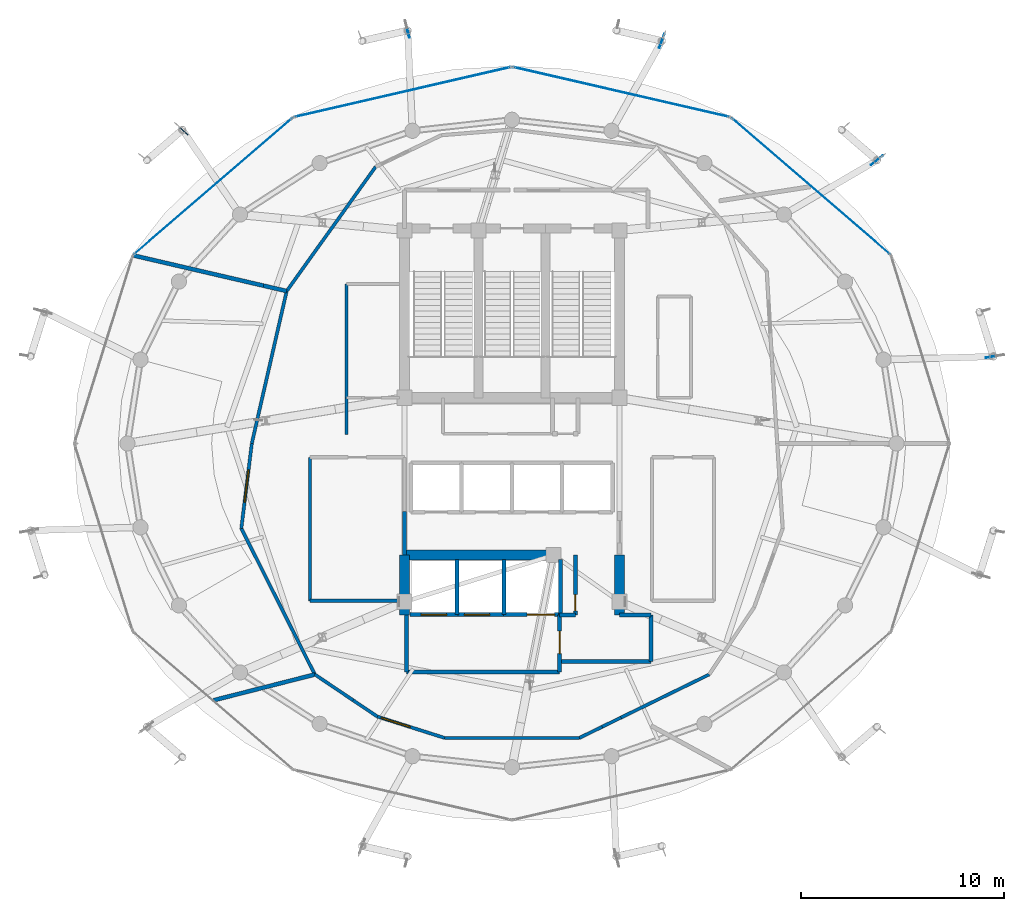
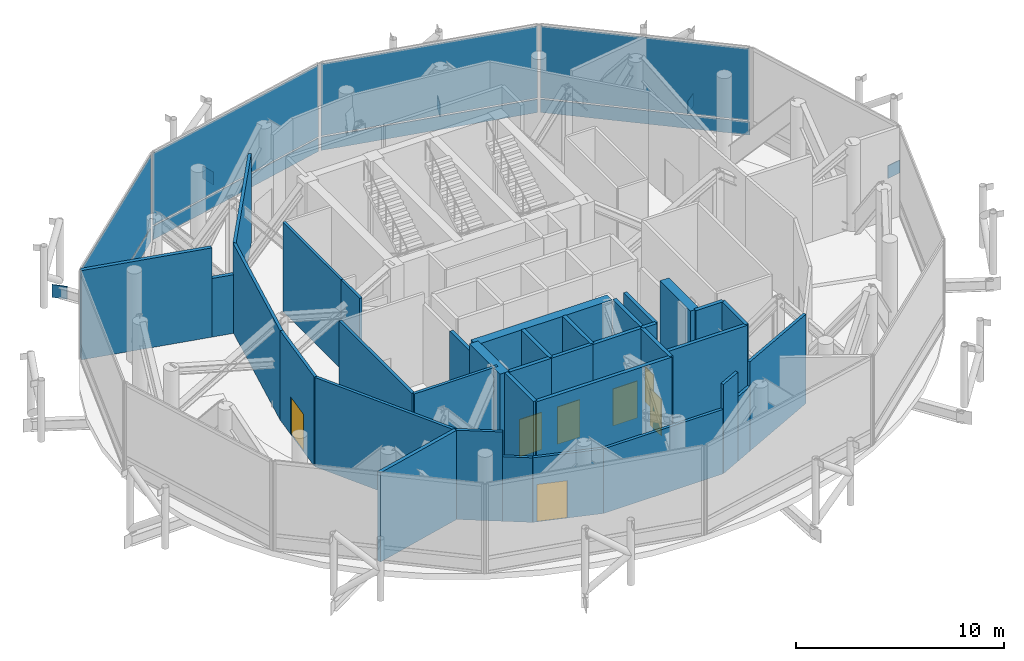
# One storey, part 18 of 26: 36 walls, 13 plates, 7 doors, 7 openings, 4 elements without a shape of their own.
"""IFC4 building model written with IfcOpenShell, lengths in metres."""

from ifc_helpers import new_model, si_unit, direction, frame, frame_2d, origin, origin_2d, place, context, subcontext, project, spatial, rectangle, extrude, material, layer, layer_set, type_object, element, fill, aggregate, save


model = new_model("IFC4")

# Units and contexts
model_context = context("Model", 3, precision=1e-05, world=origin(), true_north=direction((0.0, 1.0)))
body_context = subcontext(model_context, "Body", "Model", "MODEL_VIEW")
ifc_project = project(units=[si_unit("LENGTHUNIT", "METRE"), si_unit("AREAUNIT", "SQUARE_METRE"), si_unit("VOLUMEUNIT", "CUBIC_METRE"), si_unit("PLANEANGLEUNIT", "RADIAN"), si_unit("MASSUNIT", "GRAM", prefix="KILO")], contexts=[model_context])

# Site, building, storey
site_placement = place(None, origin())
site = spatial("IfcSite", under=ifc_project, at=site_placement, CompositionType="ELEMENT")
building_placement = place(site_placement, origin())
building = spatial("IfcBuilding", under=site, at=building_placement, Name="Nuhasar Tower", CompositionType="ELEMENT")
storey_placement = place(building_placement, frame((0.0, 0.0, 301.199951171875)))
storey = spatial("IfcBuildingStorey", under=building, at=storey_placement, Name="L75", CompositionType="ELEMENT", Elevation=301.199951171875)

# Curtain wall, plate
ifc_material_1 = material(Name="Aluminium 6063-T6", Category="aluminium")
ifc_layer_1 = layer(ifc_material_1, 0.219970703125)
ifc_layer_set_1 = layer_set([ifc_layer_1], Name="Aluminium 6063-T6")
curtain_wall_type = type_object("IfcCurtainWallType", Name="CW-CROWN", PredefinedType="NOTDEFINED", material=ifc_layer_set_1)
curtain_wall_1_placement = place(storey_placement, origin())
curtain_wall_1 = element("IfcCurtainWall", 1, at=curtain_wall_1_placement, inside=storey, type_object=curtain_wall_type, Name="L75 Unitised Curtain Wall 02", PredefinedType="NOTDEFINED")
ifc_material_2 = material(Name="Glass Double Low-E", Category="glass")
ifc_layer_2 = layer(ifc_material_2, 0.028076171875)
ifc_layer_set_2 = layer_set([ifc_layer_2], Name="Glass Double Low-E")
plate_type_1 = type_object("IfcPlateType", Name="CW-PANEL-GLZ", PredefinedType="CURTAIN_PANEL", material=ifc_layer_set_2)
plate_1_placement = place(storey_placement, frame((53.72607421875, 39.4765625, 0.93994140625), z_axis=(0.0, 0.0, 1.0), x_axis=(-0.757905965898, 0.652363814796, 0.0)))
plate_1 = element("IfcPlate", 2, at=plate_1_placement, type_object=plate_type_1, Name="CW-CR panel 1.2", PredefinedType="CURTAIN_PANEL", context=body_context, shape_type="SweptSolid", body=[
    extrude(rectangle(XDim=10.2529296875, YDim=0.028076171875, at=origin_2d()), origin(), (0.0, 0.0, 1.0), 4.22998046875),
])

curtain_wall_2_placement = place(storey_placement, origin())
curtain_wall_2 = element("IfcCurtainWall", 3, at=curtain_wall_2_placement, inside=storey, type_object=curtain_wall_type, Name="L75 Unitised Curtain Wall 03", PredefinedType="NOTDEFINED")
plate_2_placement = place(storey_placement, frame((44.389892578125, 44.116455078125, 0.93994140625), z_axis=(0.0, 0.0, 1.0), x_axis=(-0.974404904738, 0.224800092578, 0.0)))
plate_2 = element("IfcPlate", 4, at=plate_2_placement, type_object=plate_type_1, Name="CW-CR panel 1.2", PredefinedType="CURTAIN_PANEL", context=body_context, shape_type="SweptSolid", body=[
    extrude(rectangle(XDim=10.903076171875, YDim=0.028076171875, at=origin_2d()), origin(), (0.0, 0.0, 1.0), 4.22998046875),
])

curtain_wall_3_placement = place(storey_placement, origin())
curtain_wall_3 = element("IfcCurtainWall", 5, at=curtain_wall_3_placement, inside=storey, type_object=curtain_wall_type, Name="L75 Unitised Curtain Wall 04", PredefinedType="NOTDEFINED")
plate_3_placement = place(storey_placement, frame((33.610107421875, 44.116455078125, 0.93994140625), z_axis=(0.0, 0.0, 1.0), x_axis=(-0.974404904738, -0.224800092578, 0.0)))
plate_3 = element("IfcPlate", 6, at=plate_3_placement, type_object=plate_type_1, Name="CW-CR panel 1.2", PredefinedType="CURTAIN_PANEL", context=body_context, shape_type="SweptSolid", body=[
    extrude(rectangle(XDim=10.903076171875, YDim=0.028076171875, at=origin_2d()), origin(), (0.0, 0.0, 1.0), 4.22998046875),
])

curtain_wall_4_placement = place(storey_placement, origin())
curtain_wall_4 = element("IfcCurtainWall", 7, at=curtain_wall_4_placement, inside=storey, type_object=curtain_wall_type, Name="L75 Unitised Curtain Wall 05", PredefinedType="NOTDEFINED")
plate_4_placement = place(storey_placement, frame((24.27392578125, 39.4765625, 0.93994140625), z_axis=(0.0, 0.0, 1.0), x_axis=(-0.757905965898, -0.652363814796, 0.0)))
plate_4 = element("IfcPlate", 8, at=plate_4_placement, type_object=plate_type_1, Name="CW-CR panel 1.2", PredefinedType="CURTAIN_PANEL", context=body_context, shape_type="SweptSolid", body=[
    extrude(rectangle(XDim=10.2529296875, YDim=0.028076171875, at=origin_2d()), origin(), (0.0, 0.0, 1.0), 4.22998046875),
])

# Plate
ifc_material_3 = material(Name="Glass Spandrel", Category="glass")
ifc_layer_3 = layer(ifc_material_3, 0.035888671875)
ifc_layer_set_3 = layer_set([ifc_layer_3], Name="Glass Spandrel")
plate_type_2 = type_object("IfcPlateType", Name="CW-PANEL-SPN", PredefinedType="CURTAIN_PANEL", material=ifc_layer_set_3)
plate_5_placement = place(storey_placement, frame((53.72607421875, 39.4765625, 0.080078125), z_axis=(0.0, 0.0, 1.0), x_axis=(-0.757905965898, 0.652363814796, 0.0)))
plate_5 = element("IfcPlate", 9, at=plate_5_placement, type_object=plate_type_2, Name="CW-CR panel 1.1", PredefinedType="CURTAIN_PANEL", context=body_context, shape_type="SweptSolid", body=[
    extrude(rectangle(XDim=10.2529296875, YDim=0.035888671875, at=origin_2d()), origin(), (0.0, 0.0, 1.0), 0.780029296875),
])

aggregate(curtain_wall_1, [plate_5, plate_1])

plate_6_placement = place(storey_placement, frame((44.389892578125, 44.116455078125, 0.080078125), z_axis=(0.0, 0.0, 1.0), x_axis=(-0.974404904738, 0.224800092578, 0.0)))
plate_6 = element("IfcPlate", 10, at=plate_6_placement, type_object=plate_type_2, Name="CW-CR panel 1.1", PredefinedType="CURTAIN_PANEL", context=body_context, shape_type="SweptSolid", body=[
    extrude(rectangle(XDim=10.903076171875, YDim=0.035888671875, at=origin_2d()), origin(), (0.0, 0.0, 1.0), 0.780029296875),
])

aggregate(curtain_wall_2, [plate_6, plate_2])

plate_7_placement = place(storey_placement, frame((33.610107421875, 44.116455078125, 0.080078125), z_axis=(0.0, 0.0, 1.0), x_axis=(-0.974404904738, -0.224800092578, 0.0)))
plate_7 = element("IfcPlate", 11, at=plate_7_placement, type_object=plate_type_2, Name="CW-CR panel 1.1", PredefinedType="CURTAIN_PANEL", context=body_context, shape_type="SweptSolid", body=[
    extrude(rectangle(XDim=10.903076171875, YDim=0.035888671875, at=origin_2d()), origin(), (0.0, 0.0, 1.0), 0.780029296875),
])

aggregate(curtain_wall_3, [plate_7, plate_3])

plate_8_placement = place(storey_placement, frame((24.27392578125, 39.4765625, 0.080078125), z_axis=(0.0, 0.0, 1.0), x_axis=(-0.757905965898, -0.652363814796, 0.0)))
plate_8 = element("IfcPlate", 12, at=plate_8_placement, type_object=plate_type_2, Name="CW-CR panel 1.1", PredefinedType="CURTAIN_PANEL", context=body_context, shape_type="SweptSolid", body=[
    extrude(rectangle(XDim=10.2529296875, YDim=0.035888671875, at=origin_2d()), origin(), (0.0, 0.0, 1.0), 0.780029296875),
])

aggregate(curtain_wall_4, [plate_8, plate_4])

# Plates
ifc_material_4 = material(Name="Steel S460", Category="steel")
ifc_layer_4 = layer(ifc_material_4, 0.0400390625)
ifc_layer_set_4 = layer_set([ifc_layer_4], Name="Steel S460")
plate_type_3 = type_object("IfcPlateType", Name="PLT-GUSSET-40", PredefinedType="SHEET", material=ifc_layer_set_4)
for number, where, z_axis, x_axis, name in (
    (13, (62.718017578125, 31.0859375, -1.030029296875), (0.0, 0.0, 1.0), (0.984062430207, 0.177823320895, 0.0), "L75 Bronze Diagrid Gusset Node Plate 01"),
    (14, (56.98388671875, 40.758056640625, -1.030029296875), (0.0, 0.0, 1.0), (0.789983825631, 0.613127682657, 0.0), "L75 Bronze Diagrid Gusset Node Plate 02"),
    (15, (46.384033203125, 46.633056640625, -1.030029296875), (0.0, 0.0, 1.0), (0.348915555693, 0.937154168211, 0.0), "L75 Bronze Diagrid Gusset Node Plate 03"),
    (16, (33.85693359375, 47.14892578125, -1.030029296875), (0.0, 0.0, 1.0), (-0.245036656105, 0.96951381484, 0.0), "L75 Bronze Diagrid Gusset Node Plate 04"),
    (17, (22.760009765625, 42.257080078125, -1.030029296875), (0.0, 0.0, 1.0), (-0.724352378593, 0.689429932355, 0.0), "L75 Bronze Diagrid Gusset Node Plate 05"),
):
    element("IfcPlate", number, at=place(storey_placement, frame(where, z_axis=z_axis, x_axis=x_axis)), inside=storey, type_object=plate_type_3, Name=name, PredefinedType="SHEET", context=body_context, shape_type="SweptSolid", body=[
        extrude(rectangle(XDim=0.75, YDim=0.0400390625, at=origin_2d()), origin(), (0.0, 0.0, 1.0), 0.75),
    ])

# Walls
ifc_material_5 = material(Name="Concrete C50/60", Category="concrete")
ifc_layer_5 = layer(ifc_material_5, 0.5)
ifc_layer_set_5 = layer_set([ifc_layer_5], Name="Concrete C50/60")
wall_type_1 = type_object("IfcWallType", Name="WL-CORE-500", PredefinedType="SHEAR", material=ifc_layer_set_5)
for number, where, z_axis, x_axis, name in (
    (18, (33.699951171875, 18.35009765625, 0.0), (0.0, 0.0, 1.0), (0.0, 1.0, 0.0), "L75 Core Shear Wall CW-SW CW-500"),
    (19, (44.300048828125, 18.35009765625, 0.0), (0.0, 0.0, 1.0), (0.0, 1.0, 0.0), "L75 Core Shear Wall CW-SE CW-500"),
):
    element("IfcWall", number, at=place(storey_placement, frame(where, z_axis=z_axis, x_axis=x_axis)), inside=storey, type_object=wall_type_1, Name=name, PredefinedType="SHEAR", context=body_context, shape_type="SweptSolid", body=[
        extrude(rectangle(XDim=2.949951171875, YDim=0.5, at=frame_2d((1.47509765625, 0.0))), origin(), (0.0, 0.0, 1.0), 5.25),
    ])
wall_1_placement = place(storey_placement, frame((33.699951171875, 21.300048828125, 0.0), z_axis=(0.0, 0.0, 1.0), x_axis=(1.0, 0.0, 0.0)))
element("IfcWall", 20, at=wall_1_placement, inside=storey, type_object=wall_type_1, Name="L75 Core Shear Wall CW-S1 CW-500", PredefinedType="SHEAR", context=body_context, shape_type="SweptSolid", body=[
    extrude(rectangle(XDim=7.550048828125, YDim=0.5, at=frame_2d((3.77490234375, 0.0))), origin(), (0.0, 0.0, 1.0), 5.25),
])
ifc_material_6 = material(Name="Gypsum Board", Category="gypsum")
ifc_layer_6 = layer(ifc_material_6, 0.159912109375)
ifc_layer_set_6 = layer_set([ifc_layer_6], Name="Gypsum Board")
wall_type_2 = type_object("IfcWallType", Name="WL-CORR-160", PredefinedType="PARTITIONING", material=ifc_layer_set_6)
wall_2_placement = place(storey_placement, frame((29.050048828125, 19.050048828125, 0.0), z_axis=(0.0, 0.0, 1.0), x_axis=(1.0, 0.0, 0.0)))
element("IfcWall", 21, at=wall_2_placement, inside=storey, type_object=wall_type_2, Name="L75 Interior Partition RECL-B1-S", PredefinedType="PARTITIONING", context=body_context, shape_type="SweptSolid", body=[
    extrude(rectangle(XDim=4.64990234375, YDim=0.159912109375, at=frame_2d((2.324951171875, 0.0))), origin(), (0.0, 0.0, 1.0), 5.25),
])
wall_3_placement = place(storey_placement, frame((29.050048828125, 19.050048828125, 0.0), z_axis=(0.0, 0.0, 1.0), x_axis=(0.0, 1.0, 0.0)))
element("IfcWall", 22, at=wall_3_placement, inside=storey, type_object=wall_type_2, Name="L75 Interior Partition RECL-B1-W", PredefinedType="PARTITIONING", context=body_context, shape_type="SweptSolid", body=[
    extrude(rectangle(XDim=7.070068359375, YDim=0.159912109375, at=frame_2d((3.53515625, 0.0))), origin(), (0.0, 0.0, 1.0), 5.25),
])
wall_4_placement = place(storey_placement, frame((32.281005859375, 40.43603515625, 0.0), z_axis=(0.0, 0.0, 1.0), x_axis=(-0.581884927471, -0.813271130179, 0.0)))
element("IfcWall", 23, at=wall_4_placement, inside=storey, type_object=wall_type_2, Name="L75 Interior Partition CORR-16", PredefinedType="PARTITIONING", context=body_context, shape_type="SweptSolid", body=[
    extrude(rectangle(XDim=7.532470703125, YDim=0.159912109375, at=frame_2d((3.76611328125, 0.0))), origin(), (0.0, 0.0, 1.0), 5.25),
])
wall_5_placement = place(storey_placement, frame((27.89794921875, 34.31005859375, 0.0), z_axis=(0.0, 0.0, 1.0), x_axis=(-0.223002916051, -0.974817777553, 0.0)))
element("IfcWall", 24, at=wall_5_placement, inside=storey, type_object=wall_type_2, Name="L75 Interior Partition CORR-20", PredefinedType="PARTITIONING", context=body_context, shape_type="SweptSolid", body=[
    extrude(rectangle(XDim=7.7041015625, YDim=0.159912109375, at=frame_2d((3.85205078125, 0.0))), origin(), (0.0, 0.0, 1.0), 5.25),
])

# Wall, opening, door
wall_6_placement = place(storey_placement, frame((25.6630859375, 22.614013671875, 0.0), z_axis=(0.0, 0.0, 1.0), x_axis=(0.122538537921, 0.992463755874, 0.0)))
wall_6 = element("IfcWall", 25, at=wall_6_placement, inside=storey, type_object=wall_type_2, Name="L75 Interior Partition CORR-24", PredefinedType="PARTITIONING", context=body_context, shape_type="SweptSolid", body=[
    extrude(rectangle(XDim=4.2177734375, YDim=0.159912109375, at=frame_2d((2.10888671875, 0.0))), origin(), (0.0, 0.0, 1.0), 5.25),
])
opening_1_placement = place(wall_6_placement, frame((1.30908203125, 0.0, 0.0)))
opening_1 = element("IfcOpeningElement", 26, at=opening_1_placement, cuts=wall_6, Name="Opening DC-01", PredefinedType="OPENING", context=body_context, shape_type="SweptSolid", body=[
    extrude(rectangle(XDim=1.60009765625, YDim=2.199951171875, at=frame_2d((0.800048828125, 1.10009765625))), frame((0.0, 0.08984375, 0.0), z_axis=(0.0, -1.0, 0.0), x_axis=(1.0, 0.0, 0.0)), (0.0, 0.0, 1.0), 0.179931640625),
])
ifc_material_7 = material(Name="Steel S355", Category="steel")
door_type_1 = type_object("IfcDoorType", Name="DR-CORR-FD60-1600", OperationType="DOUBLE_DOOR_SINGLE_SWING", PredefinedType="DOOR", material=ifc_material_7)
door_1_placement = place(opening_1_placement, origin())
door_1 = element("IfcDoor", 27, at=door_1_placement, inside=storey, type_object=door_type_1, Name="L75 West Refuge Area Door", OperationType="DOUBLE_DOOR_SINGLE_SWING", OverallHeight=2.199951171875, OverallWidth=1.60009765625, PredefinedType="DOOR", context=body_context, shape_type="SweptSolid", body=[
    extrude(rectangle(XDim=1.60009765625, YDim=2.199951171875, at=frame_2d((0.800048828125, 1.10009765625))), frame((0.0, 0.02490234375, 0.0), z_axis=(0.0, -1.0, 0.0), x_axis=(1.0, 0.0, 0.0)), (0.0, 0.0, 1.0), 0.050048828125),
])
fill(opening_1, door_1)

# Walls
wall_7_placement = place(storey_placement, frame((25.6630859375, 22.614013671875, 0.0), z_axis=(0.0, 0.0, 1.0), x_axis=(0.449672541353, -0.893193487187, 0.0)))
element("IfcWall", 28, at=wall_7_placement, inside=storey, type_object=wall_type_2, Name="L75 Interior Partition CORR-26", PredefinedType="PARTITIONING", context=body_context, shape_type="SweptSolid", body=[
    extrude(rectangle(XDim=8.056640625, YDim=0.159912109375, at=frame_2d((4.0283203125, 0.0))), origin(), (0.0, 0.0, 1.0), 5.25),
])
wall_8_placement = place(storey_placement, frame((29.285888671875, 15.41796875, 0.0), z_axis=(0.0, 0.0, 1.0), x_axis=(0.829501793483, -0.558504050665, 0.0)))
element("IfcWall", 29, at=wall_8_placement, inside=storey, type_object=wall_type_2, Name="L75 Interior Partition CORR-30", PredefinedType="PARTITIONING", context=body_context, shape_type="SweptSolid", body=[
    extrude(rectangle(XDim=2.27734375, YDim=0.159912109375, at=frame_2d((1.138671875, 0.0))), origin(), (0.0, 0.0, 1.0), 5.25),
])
wall_9_placement = place(storey_placement, frame((31.175048828125, 14.14599609375, 0.0), z_axis=(0.0, 0.0, 1.0), x_axis=(0.829772117197, -0.558102350401, 0.0)))
element("IfcWall", 30, at=wall_9_placement, inside=storey, type_object=wall_type_2, Name="L75 Interior Partition CORR-30", PredefinedType="PARTITIONING", context=body_context, shape_type="SweptSolid", body=[
    extrude(rectangle(XDim=1.438720703125, YDim=0.159912109375, at=frame_2d((0.71923828125, 0.0))), origin(), (0.0, 0.0, 1.0), 3.800048828125),
])

# Wall, opening, door
wall_10_placement = place(storey_placement, frame((35.681884765625, 12.2919921875, 0.0), z_axis=(0.0, 0.0, 1.0), x_axis=(-0.953183734956, 0.302391744951, 0.0)))
wall_10 = element("IfcWall", 31, at=wall_10_placement, inside=storey, type_object=wall_type_2, Name="L75 Interior Partition CORR-32", PredefinedType="PARTITIONING", context=body_context, shape_type="SweptSolid", body=[
    extrude(rectangle(XDim=3.4755859375, YDim=0.159912109375, at=frame_2d((1.73779296875, 0.0))), origin(), (0.0, 0.0, 1.0), 3.800048828125),
])
opening_2_placement = place(wall_10_placement, frame((1.77587890625, 0.0, 0.0)))
opening_2 = element("IfcOpeningElement", 32, at=opening_2_placement, cuts=wall_10, Name="Opening DP-01", PredefinedType="OPENING", context=body_context, shape_type="SweptSolid", body=[
    extrude(rectangle(XDim=1.5, YDim=2.199951171875, at=frame_2d((0.75, 1.10009765625))), frame((0.0, 0.08984375, 0.0), z_axis=(0.0, -1.0, 0.0), x_axis=(1.0, 0.0, 0.0)), (0.0, 0.0, 1.0), 0.179931640625),
])
door_type_2 = type_object("IfcDoorType", Name="DR-PLANT-FD120-1500", OperationType="DOUBLE_DOOR_SINGLE_SWING", PredefinedType="DOOR", material=ifc_material_7)
door_2_placement = place(opening_2_placement, origin())
door_2 = element("IfcDoor", 33, at=door_2_placement, inside=storey, type_object=door_type_2, Name="L75 South Chiller & Pump Plant Door", OperationType="DOUBLE_DOOR_SINGLE_SWING", OverallHeight=2.199951171875, OverallWidth=1.5, PredefinedType="DOOR", context=body_context, shape_type="SweptSolid", body=[
    extrude(rectangle(XDim=1.5, YDim=2.199951171875, at=frame_2d((0.75, 1.10009765625))), frame((0.0, 0.02490234375, 0.0), z_axis=(0.0, -1.0, 0.0), x_axis=(1.0, 0.0, 0.0)), (0.0, 0.0, 1.0), 0.050048828125),
])
fill(opening_2, door_2)

# Walls
wall_11_placement = place(storey_placement, frame((35.681884765625, 12.2919921875, 0.0), z_axis=(0.0, 0.0, 1.0), x_axis=(1.0, 0.0, 0.0)))
element("IfcWall", 34, at=wall_11_placement, inside=storey, type_object=wall_type_2, Name="L75 Interior Partition CORR-34", PredefinedType="PARTITIONING", context=body_context, shape_type="SweptSolid", body=[
    extrude(rectangle(XDim=6.63623046875, YDim=0.159912109375, at=frame_2d((3.318115234375, 0.0))), origin(), (0.0, 0.0, 1.0), 3.800048828125),
])
wall_12_placement = place(storey_placement, frame((42.318115234375, 12.2919921875, 0.0), z_axis=(0.0, 0.0, 1.0), x_axis=(0.898344894696, 0.439290849181, 0.0)))
element("IfcWall", 35, at=wall_12_placement, inside=storey, type_object=wall_type_2, Name="L75 Interior Partition CORR-38", PredefinedType="PARTITIONING", context=body_context, shape_type="SweptSolid", body=[
    extrude(rectangle(XDim=1.247802734375, YDim=0.159912109375, at=frame_2d((0.6240234375, 0.0))), origin(), (0.0, 0.0, 1.0), 5.25),
])
wall_13_placement = place(storey_placement, frame((43.43896484375, 12.840087890625, 0.0), z_axis=(0.0, 0.0, 1.0), x_axis=(0.898307833807, 0.439366630187, 0.0)))
element("IfcWall", 36, at=wall_13_placement, inside=storey, type_object=wall_type_2, Name="L75 Interior Partition CORR-38", PredefinedType="PARTITIONING", context=body_context, shape_type="SweptSolid", body=[
    extrude(rectangle(XDim=1.03515625, YDim=0.159912109375, at=frame_2d((0.517578125, 0.0))), origin(), (0.0, 0.0, 1.0), 3.800048828125),
])
wall_14_placement = place(storey_placement, frame((44.368896484375, 13.294921875, 0.0), z_axis=(0.0, 0.0, 1.0), x_axis=(0.898488801633, 0.43899643887, 0.0)))
element("IfcWall", 37, at=wall_14_placement, inside=storey, type_object=wall_type_2, Name="L75 Interior Partition CORR-38", PredefinedType="PARTITIONING", context=body_context, shape_type="SweptSolid", body=[
    extrude(rectangle(XDim=4.836181640625, YDim=0.159912109375, at=frame_2d((2.41796875, 0.0))), origin(), (0.0, 0.0, 1.0), 5.25),
])
ifc_material_8 = material(Name="Concrete C45/55", Category="concrete")
ifc_layer_7 = layer(ifc_material_8, 0.199951171875)
ifc_layer_set_7 = layer_set([ifc_layer_7], Name="Concrete C45/55")
wall_type_3 = type_object("IfcWallType", Name="WL-LOBBY-200", PredefinedType="SOLIDWALL", material=ifc_layer_set_7)
wall_15_placement = place(storey_placement, frame((33.699951171875, 21.300048828125, 0.0), z_axis=(0.0, 0.0, 1.0), x_axis=(0.0, 1.0, 0.0)))
element("IfcWall", 38, at=wall_15_placement, inside=storey, type_object=wall_type_3, Name="L75 Interior Partition LLBH-W", PredefinedType="SOLIDWALL", context=body_context, shape_type="SweptSolid", body=[
    extrude(rectangle(XDim=2.14990234375, YDim=0.199951171875, at=frame_2d((1.074951171875, 0.0))), origin(), (0.0, 0.0, 1.0), 4.635009765625),
])
wall_16_placement = place(storey_placement, frame((33.800048828125, 15.550048828125, 0.0), z_axis=(0.0, 0.0, 1.0), x_axis=(1.0, 0.0, 0.0)))
element("IfcWall", 39, at=wall_16_placement, inside=storey, type_object=wall_type_3, Name="L75 Interior Partition FFL-S", PredefinedType="SOLIDWALL", context=body_context, shape_type="SweptSolid", body=[
    extrude(rectangle(XDim=7.550048828125, YDim=0.199951171875, at=frame_2d((3.77490234375, 0.0))), origin(), (0.0, 0.0, 1.0), 5.25),
])
wall_17_placement = place(storey_placement, frame((33.800048828125, 15.550048828125, 0.0), z_axis=(0.0, 0.0, 1.0), x_axis=(0.0, 1.0, 0.0)))
element("IfcWall", 40, at=wall_17_placement, inside=storey, type_object=wall_type_3, Name="L75 Interior Partition FFL-W", PredefinedType="SOLIDWALL", context=body_context, shape_type="SweptSolid", body=[
    extrude(rectangle(XDim=2.800048828125, YDim=0.199951171875, at=frame_2d((1.39990234375, 0.0))), origin(), (0.0, 0.0, 1.0), 5.25),
])

# Wall, opening, door
wall_18_placement = place(storey_placement, frame((41.35009765625, 15.550048828125, 0.0), z_axis=(0.0, 0.0, 1.0), x_axis=(0.0, 1.0, 0.0)))
wall_18 = element("IfcWall", 41, at=wall_18_placement, inside=storey, type_object=wall_type_3, Name="L75 Interior Partition FFL-E", PredefinedType="SOLIDWALL", context=body_context, shape_type="SweptSolid", body=[
    extrude(rectangle(XDim=2.800048828125, YDim=0.199951171875, at=frame_2d((1.39990234375, 0.0))), origin(), (0.0, 0.0, 1.0), 5.25),
])
opening_3_placement = place(wall_18_placement, frame((0.89990234375, 0.0, 0.0)))
opening_3 = element("IfcOpeningElement", 42, at=opening_3_placement, cuts=wall_18, Name="Opening DS-02", PredefinedType="OPENING", context=body_context, shape_type="SweptSolid", body=[
    extrude(rectangle(XDim=1.10009765625, YDim=2.14990234375, at=frame_2d((0.550048828125, 1.074951171875))), frame((0.0, 0.10986328125, 0.0), z_axis=(0.0, -1.0, 0.0), x_axis=(1.0, 0.0, 0.0)), (0.0, 0.0, 1.0), 0.219970703125),
])
door_type_3 = type_object("IfcDoorType", Name="DR-FFL-FD120-1100", OperationType="NOTDEFINED", PredefinedType="DOOR", material=ifc_material_7)
door_3_placement = place(opening_3_placement, origin())
door_3 = element("IfcDoor", 43, at=door_3_placement, inside=storey, type_object=door_type_3, Name="L75 Firefighting Lobby Door", OperationType="SINGLE_SWING_RIGHT", OverallHeight=2.14990234375, OverallWidth=1.10009765625, PredefinedType="DOOR", context=body_context, shape_type="SweptSolid", body=[
    extrude(rectangle(XDim=1.10009765625, YDim=2.14990234375, at=frame_2d((0.550048828125, 1.074951171875))), frame((0.0, 0.02490234375, 0.0), z_axis=(0.0, -1.0, 0.0), x_axis=(1.0, 0.0, 0.0)), (0.0, 0.0, 1.0), 0.050048828125),
])
fill(opening_3, door_3)

# Walls
wall_19_placement = place(storey_placement, frame((41.35009765625, 16.050048828125, 0.0), z_axis=(0.0, 0.0, 1.0), x_axis=(1.0, 0.0, 0.0)))
element("IfcWall", 44, at=wall_19_placement, inside=storey, type_object=wall_type_3, Name="L75 Interior Partition SVLV-S", PredefinedType="SOLIDWALL", context=body_context, shape_type="SweptSolid", body=[
    extrude(rectangle(XDim=4.5, YDim=0.199951171875, at=frame_2d((2.25, 0.0))), origin(), (0.0, 0.0, 1.0), 5.25),
])
wall_20_placement = place(storey_placement, frame((45.85009765625, 16.050048828125, 0.0), z_axis=(0.0, 0.0, 1.0), x_axis=(0.0, 1.0, 0.0)))
element("IfcWall", 45, at=wall_20_placement, inside=storey, type_object=wall_type_3, Name="L75 Interior Partition SVLV-E", PredefinedType="SOLIDWALL", context=body_context, shape_type="SweptSolid", body=[
    extrude(rectangle(XDim=2.300048828125, YDim=0.199951171875, at=frame_2d((1.14990234375, 0.0))), origin(), (0.0, 0.0, 1.0), 5.25),
])
wall_21_placement = place(storey_placement, frame((44.300048828125, 18.35009765625, 0.0), z_axis=(0.0, 0.0, 1.0), x_axis=(1.0, 0.0, 0.0)))
element("IfcWall", 46, at=wall_21_placement, inside=storey, type_object=wall_type_3, Name="L75 Interior Partition SVLV-N", PredefinedType="SOLIDWALL", context=body_context, shape_type="SweptSolid", body=[
    extrude(rectangle(XDim=1.550048828125, YDim=0.199951171875, at=frame_2d((0.77490234375, 0.0))), origin(), (0.0, 0.0, 1.0), 5.25),
])
wall_22_placement = place(storey_placement, frame((27.89794921875, 34.31005859375, 0.0), z_axis=(0.0, 0.0, 1.0), x_axis=(-0.974088180288, 0.226168558873, 0.0)))
element("IfcWall", 47, at=wall_22_placement, inside=storey, type_object=wall_type_3, Name="L75 Interior Partition WRAD-20", PredefinedType="SOLIDWALL", context=body_context, shape_type="SweptSolid", body=[
    extrude(rectangle(XDim=1.171142578125, YDim=0.199951171875, at=frame_2d((0.58544921875, 0.0))), origin(), (0.0, 0.0, 1.0), 3.449951171875),
])
wall_23_placement = place(storey_placement, frame((26.757080078125, 34.574951171875, 0.0), z_axis=(0.0, 0.0, 1.0), x_axis=(-0.974037958158, 0.226384752285, 0.0)))
element("IfcWall", 48, at=wall_23_placement, inside=storey, type_object=wall_type_3, Name="L75 Interior Partition WRAD-20", PredefinedType="SOLIDWALL", context=body_context, shape_type="SweptSolid", body=[
    extrude(rectangle(XDim=6.56884765625, YDim=0.199951171875, at=frame_2d((3.284423828125, 0.0))), origin(), (0.0, 0.0, 1.0), 5.25),
])
wall_24_placement = place(storey_placement, frame((29.285888671875, 15.41796875, 0.0), z_axis=(0.0, 0.0, 1.0), x_axis=(-0.969078615775, -0.246752176175, 0.0)))
element("IfcWall", 49, at=wall_24_placement, inside=storey, type_object=wall_type_3, Name="L75 Interior Partition WRAD-30", PredefinedType="SOLIDWALL", context=body_context, shape_type="SweptSolid", body=[
    extrude(rectangle(XDim=5.14697265625, YDim=0.199951171875, at=frame_2d((2.573486328125, 0.0))), origin(), (0.0, 0.0, 1.0), 5.25),
])

# Wall, opening, door
ifc_layer_8 = layer(ifc_material_8, 0.199951171875)
ifc_layer_set_8 = layer_set([ifc_layer_8], Name="Concrete C45/55")
wall_type_4 = type_object("IfcWallType", Name="WL-SHAFT-200", PredefinedType="SOLIDWALL", material=ifc_layer_set_8)
wall_25_placement = place(storey_placement, frame((33.969970703125, 18.3701171875, 0.0), z_axis=(0.0, 0.0, 1.0), x_axis=(1.0, 0.0, 0.0)))
wall_25 = element("IfcWall", 50, at=wall_25_placement, inside=storey, type_object=wall_type_4, Name="L75 Interior Partition SHF-FFL-01-S", PredefinedType="SOLIDWALL", context=body_context, shape_type="SweptSolid", body=[
    extrude(rectangle(XDim=2.360107421875, YDim=0.199951171875, at=frame_2d((1.18017578125, 0.0))), origin(), (0.0, 0.0, 1.0), 5.25),
])
opening_4_placement = place(wall_25_placement, frame((0.554931640625, 0.0, 0.0)))
opening_4 = element("IfcOpeningElement", 51, at=opening_4_placement, cuts=wall_25, Name="Opening LD-F01", PredefinedType="OPENING", context=body_context, shape_type="SweptSolid", body=[
    extrude(rectangle(XDim=1.25, YDim=2.199951171875, at=frame_2d((0.625, 1.10009765625))), frame((0.0, 0.10986328125, 0.0), z_axis=(0.0, -1.0, 0.0), x_axis=(1.0, 0.0, 0.0)), (0.0, 0.0, 1.0), 0.219970703125),
])
ifc_material_9 = material(Name="Stainless Steel 316L", Category="steel")
door_type_4 = type_object("IfcDoorType", Name="LD-FFL-1250", OperationType="DOUBLE_DOOR_SLIDING", PredefinedType="DOOR", material=ifc_material_9)
door_4_placement = place(opening_4_placement, origin())
door_4 = element("IfcDoor", 52, at=door_4_placement, inside=storey, type_object=door_type_4, Name="L75 Lift Landing Door FFL-01", OperationType="DOUBLE_DOOR_SLIDING", OverallHeight=2.199951171875, OverallWidth=1.25, PredefinedType="DOOR", context=body_context, shape_type="SweptSolid", body=[
    extrude(rectangle(XDim=1.25, YDim=2.199951171875, at=frame_2d((0.625, 1.10009765625))), frame((0.0, 0.02490234375, 0.0), z_axis=(0.0, -1.0, 0.0), x_axis=(1.0, 0.0, 0.0)), (0.0, 0.0, 1.0), 0.050048828125),
])
fill(opening_4, door_4)

# Wall
wall_26_placement = place(storey_placement, frame((36.300048828125, 18.3701171875, 0.0), z_axis=(0.0, 0.0, 1.0), x_axis=(0.0, 1.0, 0.0)))
element("IfcWall", 53, at=wall_26_placement, inside=storey, type_object=wall_type_4, Name="L75 Interior Partition SHF-FFL-01-E", PredefinedType="SOLIDWALL", context=body_context, shape_type="SweptSolid", body=[
    extrude(rectangle(XDim=2.7099609375, YDim=0.199951171875, at=frame_2d((1.35498046875, 0.0))), origin(), (0.0, 0.0, 1.0), 5.25),
])

# Wall, opening, door
wall_27_placement = place(storey_placement, frame((36.27001953125, 18.3701171875, 0.0), z_axis=(0.0, 0.0, 1.0), x_axis=(1.0, 0.0, 0.0)))
wall_27 = element("IfcWall", 54, at=wall_27_placement, inside=storey, type_object=wall_type_4, Name="L75 Interior Partition SHF-FFL-02-S", PredefinedType="SOLIDWALL", context=body_context, shape_type="SweptSolid", body=[
    extrude(rectangle(XDim=2.35986328125, YDim=0.199951171875, at=frame_2d((1.179931640625, 0.0))), origin(), (0.0, 0.0, 1.0), 5.25),
])
opening_5_placement = place(wall_27_placement, frame((0.3798828125, 0.0, 0.0)))
opening_5 = element("IfcOpeningElement", 55, at=opening_5_placement, cuts=wall_27, Name="Opening LD-F02", PredefinedType="OPENING", context=body_context, shape_type="SweptSolid", body=[
    extrude(rectangle(XDim=1.25, YDim=2.199951171875, at=frame_2d((0.625, 1.10009765625))), frame((0.0, 0.10986328125, 0.0), z_axis=(0.0, -1.0, 0.0), x_axis=(1.0, 0.0, 0.0)), (0.0, 0.0, 1.0), 0.219970703125),
])
door_5_placement = place(opening_5_placement, origin())
door_5 = element("IfcDoor", 56, at=door_5_placement, inside=storey, type_object=door_type_4, Name="L75 Lift Landing Door FFL-02", OperationType="DOUBLE_DOOR_SLIDING", OverallHeight=2.199951171875, OverallWidth=1.25, PredefinedType="DOOR", context=body_context, shape_type="SweptSolid", body=[
    extrude(rectangle(XDim=1.25, YDim=2.199951171875, at=frame_2d((0.625, 1.10009765625))), frame((0.0, 0.02490234375, 0.0), z_axis=(0.0, -1.0, 0.0), x_axis=(1.0, 0.0, 0.0)), (0.0, 0.0, 1.0), 0.050048828125),
])
fill(opening_5, door_5)

# Wall
wall_28_placement = place(storey_placement, frame((38.60009765625, 18.3701171875, 0.0), z_axis=(0.0, 0.0, 1.0), x_axis=(0.0, 1.0, 0.0)))
element("IfcWall", 57, at=wall_28_placement, inside=storey, type_object=wall_type_4, Name="L75 Interior Partition SHF-FFL-02-E", PredefinedType="SOLIDWALL", context=body_context, shape_type="SweptSolid", body=[
    extrude(rectangle(XDim=2.7099609375, YDim=0.199951171875, at=frame_2d((1.35498046875, 0.0))), origin(), (0.0, 0.0, 1.0), 5.25),
])

# Wall, opening, door
wall_29_placement = place(storey_placement, frame((38.570068359375, 18.3701171875, 0.0), z_axis=(0.0, 0.0, 1.0), x_axis=(1.0, 0.0, 0.0)))
wall_29 = element("IfcWall", 58, at=wall_29_placement, inside=storey, type_object=wall_type_4, Name="L75 Interior Partition SHF-SVL-01-S", PredefinedType="SOLIDWALL", context=body_context, shape_type="SweptSolid", body=[
    extrude(rectangle(XDim=2.829833984375, YDim=0.199951171875, at=frame_2d((1.4150390625, 0.0))), origin(), (0.0, 0.0, 1.0), 5.25),
])
opening_6_placement = place(wall_29_placement, frame((1.179931640625, 0.0, 0.0)))
opening_6 = element("IfcOpeningElement", 59, at=opening_6_placement, cuts=wall_29, Name="Opening LD-S01", PredefinedType="OPENING", context=body_context, shape_type="SweptSolid", body=[
    extrude(rectangle(XDim=1.35009765625, YDim=2.179931640625, at=frame_2d((0.675048828125, 1.08984375))), frame((0.0, 0.10986328125, 0.0), z_axis=(0.0, -1.0, 0.0), x_axis=(1.0, 0.0, 0.0)), (0.0, 0.0, 1.0), 0.219970703125),
])
door_type_5 = type_object("IfcDoorType", Name="LD-SVL-1350", OperationType="DOUBLE_DOOR_SLIDING", PredefinedType="DOOR", material=ifc_material_9)
door_6_placement = place(opening_6_placement, origin())
door_6 = element("IfcDoor", 60, at=door_6_placement, inside=storey, type_object=door_type_5, Name="L75 Lift Landing Door SVL-01", OperationType="DOUBLE_DOOR_SLIDING", OverallHeight=2.179931640625, OverallWidth=1.35009765625, PredefinedType="DOOR", context=body_context, shape_type="SweptSolid", body=[
    extrude(rectangle(XDim=1.35009765625, YDim=2.179931640625, at=frame_2d((0.675048828125, 1.08984375))), frame((0.0, 0.02490234375, 0.0), z_axis=(0.0, -1.0, 0.0), x_axis=(1.0, 0.0, 0.0)), (0.0, 0.0, 1.0), 0.050048828125),
])
fill(opening_6, door_6)

# Wall
wall_30_placement = place(storey_placement, frame((41.39990234375, 18.3701171875, 0.0), z_axis=(0.0, 0.0, 1.0), x_axis=(0.0, 1.0, 0.0)))
element("IfcWall", 61, at=wall_30_placement, inside=storey, type_object=wall_type_4, Name="L75 Interior Partition SHF-SVL-01-E", PredefinedType="SOLIDWALL", context=body_context, shape_type="SweptSolid", body=[
    extrude(rectangle(XDim=2.7099609375, YDim=0.199951171875, at=frame_2d((1.35498046875, 0.0))), origin(), (0.0, 0.0, 1.0), 5.25),
])

# Wall, opening, door
wall_31_placement = place(storey_placement, frame((42.1201171875, 18.35009765625, 0.0), z_axis=(0.0, 0.0, 1.0), x_axis=(0.0, 1.0, 0.0)))
wall_31 = element("IfcWall", 62, at=wall_31_placement, inside=storey, type_object=wall_type_4, Name="L75 Interior Partition RSR-E", PredefinedType="SOLIDWALL", context=body_context, shape_type="SweptSolid", body=[
    extrude(rectangle(XDim=2.949951171875, YDim=0.199951171875, at=frame_2d((1.47509765625, 0.0))), origin(), (0.0, 0.0, 1.0), 5.25),
])
opening_7_placement = place(wall_31_placement, frame((0.199951171875, 0.0, 0.0)))
opening_7 = element("IfcOpeningElement", 63, at=opening_7_placement, cuts=wall_31, Name="Opening DM-01", PredefinedType="OPENING", context=body_context, shape_type="SweptSolid", body=[
    extrude(rectangle(XDim=0.800048828125, YDim=2.050048828125, at=frame_2d((0.39990234375, 1.02490234375))), frame((0.0, 0.10986328125, 0.0), z_axis=(0.0, -1.0, 0.0), x_axis=(1.0, 0.0, 0.0)), (0.0, 0.0, 1.0), 0.219970703125),
])
door_type_6 = type_object("IfcDoorType", Name="DR-RISER-FD60-800", OperationType="NOTDEFINED", PredefinedType="DOOR", material=ifc_material_7)
door_7_placement = place(opening_7_placement, origin())
door_7 = element("IfcDoor", 64, at=door_7_placement, inside=storey, type_object=door_type_6, Name="L75 MEP Riser Access Door", OperationType="SINGLE_SWING_LEFT", OverallHeight=2.050048828125, OverallWidth=0.800048828125, PredefinedType="DOOR", context=body_context, shape_type="SweptSolid", body=[
    extrude(rectangle(XDim=0.800048828125, YDim=2.050048828125, at=frame_2d((0.39990234375, 1.02490234375))), frame((0.0, 0.02490234375, 0.0), z_axis=(0.0, -1.0, 0.0), x_axis=(1.0, 0.0, 0.0)), (0.0, 0.0, 1.0), 0.050048828125),
])
fill(opening_7, door_7)

# Walls
wall_32_placement = place(storey_placement, frame((41.35009765625, 18.35009765625, 0.0), z_axis=(0.0, 0.0, 1.0), x_axis=(1.0, 0.0, 0.0)))
element("IfcWall", 65, at=wall_32_placement, inside=storey, type_object=wall_type_4, Name="L75 Interior Partition RSR-S", PredefinedType="SOLIDWALL", context=body_context, shape_type="SweptSolid", body=[
    extrude(rectangle(XDim=0.77001953125, YDim=0.199951171875, at=frame_2d((0.385009765625, 0.0))), origin(), (0.0, 0.0, 1.0), 5.25),
])
ifc_material_10 = material(Name="Concrete C40/50 precast", Category="concrete")
ifc_layer_9 = layer(ifc_material_10, 0.139892578125)
ifc_layer_set_9 = layer_set([ifc_layer_9], Name="Concrete C40/50 precast")
wall_type_5 = type_object("IfcWallType", Name="WL-WET-140", PredefinedType="PARTITIONING", material=ifc_layer_set_9)
wall_33_placement = place(storey_placement, frame((30.85009765625, 27.239990234375, 0.0), z_axis=(0.0, 0.0, 1.0), x_axis=(0.0, 1.0, 0.0)))
element("IfcWall", 66, at=wall_33_placement, inside=storey, type_object=wall_type_5, Name="L75 Interior Partition K3-FOY-W", PredefinedType="PARTITIONING", context=body_context, shape_type="SweptSolid", body=[
    extrude(rectangle(XDim=1.81005859375, YDim=0.139892578125, at=frame_2d((0.905029296875, 0.0))), origin(), (0.0, 0.0, 1.0), 5.25),
])
wall_34_placement = place(storey_placement, frame((30.85009765625, 29.050048828125, 0.0), z_axis=(0.0, 0.0, 1.0), x_axis=(0.0, 1.0, 0.0)))
element("IfcWall", 67, at=wall_34_placement, inside=storey, type_object=wall_type_5, Name="L75 Interior Partition K3-NW-W", PredefinedType="PARTITIONING", context=body_context, shape_type="SweptSolid", body=[
    extrude(rectangle(XDim=5.599853515625, YDim=0.139892578125, at=frame_2d((2.7998046875, 0.0))), origin(), (0.0, 0.0, 1.0), 5.25),
])

save(model, "model.ifc")
